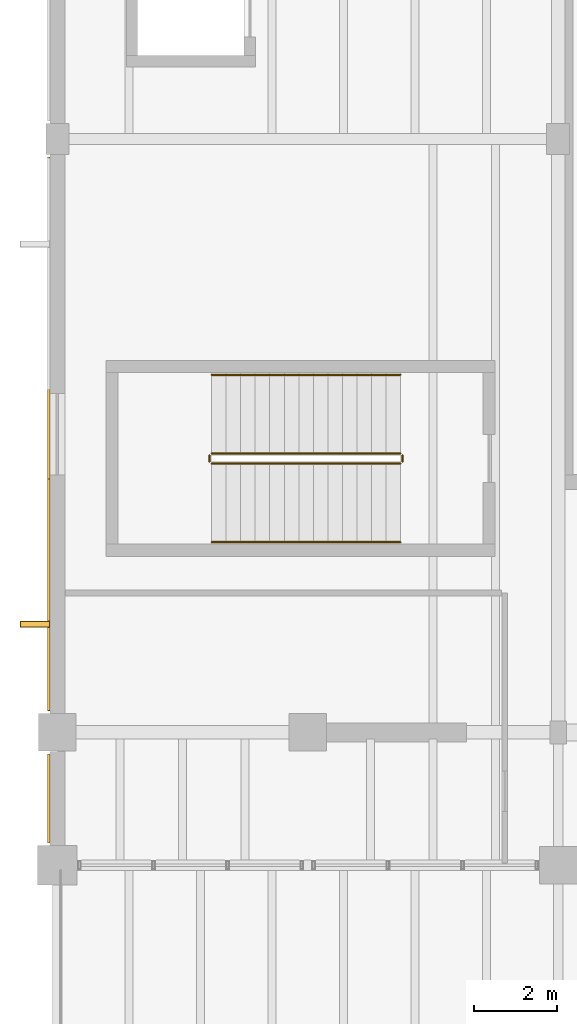
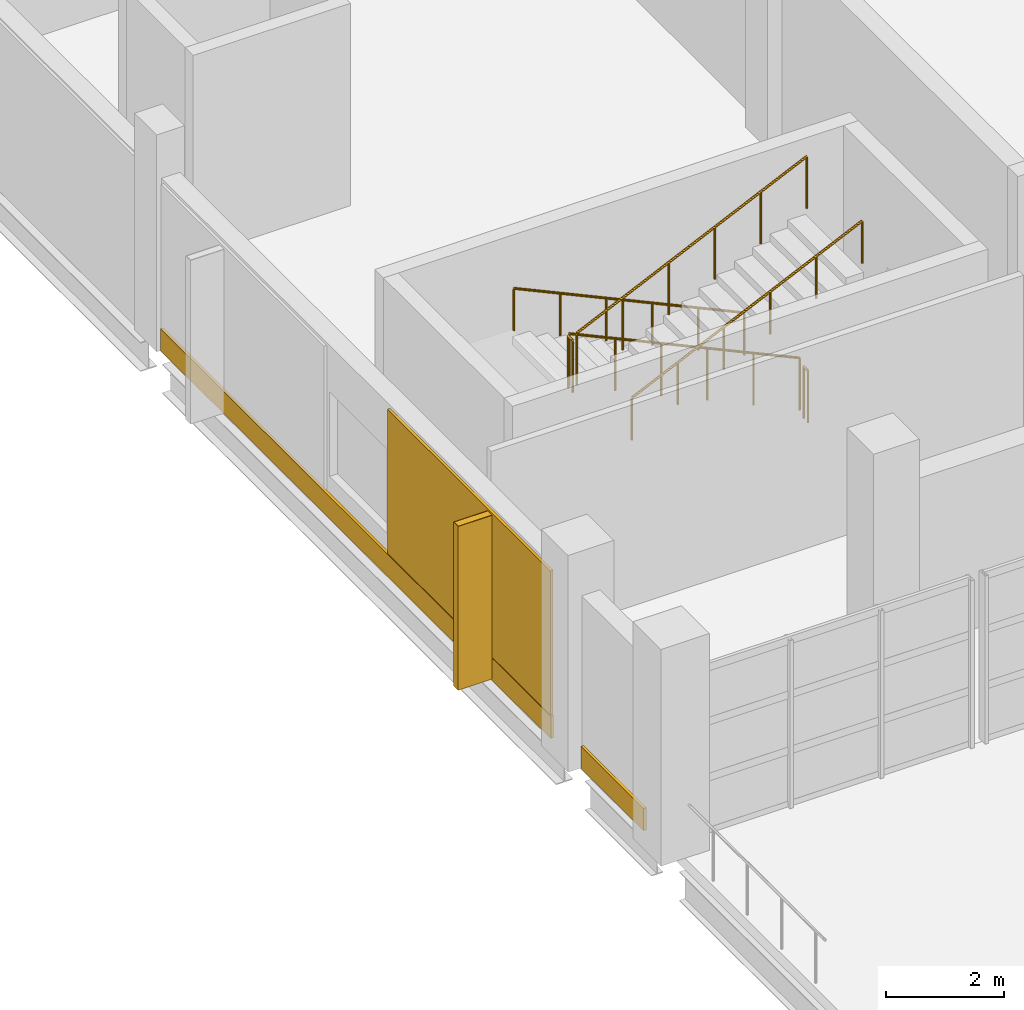
# One storey, part 104 of 114: 6 railings, 4 coverings, 1 shading device.
"""IFC4 building model written with IfcOpenShell, lengths in metres."""

from ifc_helpers import new_model, si_unit, direction, frame, origin, origin_2d, place, context, subcontext, project, spatial, rectangle, circle, extrude, material, layer, layer_set, type_object, element, save


model = new_model("IFC4")

# Units and contexts
model_context = context("Model", 3, precision=1e-05, world=origin(), true_north=direction((0.0, 1.0)))
body_context = subcontext(model_context, "Body", "Model", "MODEL_VIEW")
ifc_project = project(units=[si_unit("LENGTHUNIT", "METRE"), si_unit("AREAUNIT", "SQUARE_METRE"), si_unit("VOLUMEUNIT", "CUBIC_METRE"), si_unit("PLANEANGLEUNIT", "RADIAN"), si_unit("MASSUNIT", "GRAM", prefix="KILO")], contexts=[model_context])

# Site, building, storey
site_placement = place(None, origin())
site = spatial("IfcSite", under=ifc_project, at=site_placement, CompositionType="ELEMENT")
building_placement = place(site_placement, origin())
building = spatial("IfcBuilding", under=site, at=building_placement, Name="Kelmvaro Bay Concert Hall", CompositionType="ELEMENT")
storey_placement = place(building_placement, frame((0.0, 0.0, 4.800048828125)))
storey = spatial("IfcBuildingStorey", under=building, at=storey_placement, Name="L01", CompositionType="ELEMENT", Elevation=4.800048828125)

# Shading device
ifc_material_1 = material(Name="Anodised Extruded Aluminium 6063-T6", Category="aluminium")
ifc_layer_1 = layer(ifc_material_1, 3.39990234375)
ifc_layer_set_1 = layer_set([ifc_layer_1], Name="Anodised Extruded Aluminium 6063-T6")
shading_device_type = type_object("IfcShadingDeviceType", Name="Bauhaus Vertical Solar Brise-Soleil Fin 720x3400", PredefinedType="SHUTTER", material=ifc_layer_set_1)
shading_device_placement = place(storey_placement, frame((-0.535888671875, 71.173095703125, 0.06005859375), z_axis=(0.0, 0.0, 1.0), x_axis=(0.0, 1.0, 0.0)))
element("IfcShadingDevice", 1, at=shading_device_placement, inside=storey, type_object=shading_device_type, Name="L01 Solar Brise-Soleil Fin 007", PredefinedType="SHUTTER", context=body_context, shape_type="SweptSolid", body=[
    extrude(rectangle(XDim=0.159912109375, YDim=0.719970703125, at=origin_2d()), origin(), (0.0, 0.0, 1.0), 3.39990234375),
])

# Coverings
ifc_material_2 = material(Name="PVDF-Coated Architectural Aluminium", Category="aluminium")
ifc_layer_2 = layer(ifc_material_2, 0.0400390625)
ifc_layer_set_2 = layer_set([ifc_layer_2], Name="PVDF-Coated Architectural Aluminium")
covering_type_1 = type_object("IfcCoveringType", Name="De Stijl Enamelled Aluminium Fascia Panel 40", PredefinedType="CLADDING", material=ifc_layer_set_2)
covering_1_placement = place(storey_placement, frame((-0.535888671875, 71.173095703125, 0.06005859375), z_axis=(0.0, 0.0, 1.0), x_axis=(0.0, 1.0, 0.0)))
element("IfcCovering", 2, at=covering_1_placement, inside=storey, type_object=covering_type_1, Name="L01 Architectural Vertical Fin Cladding 0042", PredefinedType="CLADDING", context=body_context, shape_type="SweptSolid", body=[
    extrude(rectangle(XDim=0.139892578125, YDim=0.699951171875, at=origin_2d()), origin(), (0.0, 0.0, 1.0), 3.39990234375),
])
ifc_material_3 = material(Name="Honed Florida Limestone Travertine", Category="masonry")
ifc_layer_3 = layer(ifc_material_3, 0.054931640625)
ifc_layer_set_3 = layer_set([ifc_layer_3], Name="Honed Florida Limestone Travertine")
covering_type_2 = type_object("IfcCoveringType", Name="Honed Florida Travertine Rainscreen Cladding 55", PredefinedType="CLADDING", material=ifc_layer_set_3)
covering_2_placement = place(storey_placement, frame((-0.20556640625, 67.00244140625, 0.0400390625), z_axis=(0.0, 0.0, 1.0), x_axis=(0.0, 1.0, 0.0)))
element("IfcCovering", 3, at=covering_2_placement, inside=storey, type_object=covering_type_2, Name="L01 Travertine Sill Band 0040", PredefinedType="CLADDING", context=body_context, shape_type="SweptSolid", body=[
    extrude(rectangle(XDim=2.135009765625, YDim=0.054931640625, at=origin_2d()), origin(), (0.0, 0.0, 1.0), 0.4599609375),
])
covering_3_placement = place(storey_placement, frame((-0.20556640625, 75.7275390625, 0.0400390625), z_axis=(0.0, 0.0, 1.0), x_axis=(0.0, 1.0, 0.0)))
element("IfcCovering", 4, at=covering_3_placement, inside=storey, type_object=covering_type_2, Name="L01 Travertine Sill Band 0041", PredefinedType="CLADDING", context=body_context, shape_type="SweptSolid", body=[
    extrude(rectangle(XDim=13.27490234375, YDim=0.054931640625, at=origin_2d()), origin(), (0.0, 0.0, 1.0), 0.4599609375),
])
covering_4_placement = place(storey_placement, frame((-0.20556640625, 71.881103515625, 0.52001953125), z_axis=(0.0, 0.0, 1.0), x_axis=(0.0, 1.0, 0.0)))
element("IfcCovering", 5, at=covering_4_placement, inside=storey, type_object=covering_type_2, Name="L01 Travertine Pier Panel 0044", PredefinedType="CLADDING", context=body_context, shape_type="SweptSolid", body=[
    extrude(rectangle(XDim=5.54296875, YDim=0.054931640625, at=origin_2d()), origin(), (0.0, 0.0, 1.0), 2.989013671875),
])

# Railings
ifc_material_4 = material(Name="Brushed Stainless Steel 316", Category="steel")
railing_type_1 = type_object("IfcRailingType", Name="Stair Stainless Wall Handrail 900", PredefinedType="HANDRAIL", material=ifc_material_4)
railing_1_placement = place(storey_placement, frame((8.219970703125, 77.14990234375, 0.16064453125)))
element("IfcRailing", 6, at=railing_1_placement, inside=storey, type_object=railing_type_1, Name="L01 ST-01 stair handrail 1", PredefinedType="HANDRAIL", context=body_context, shape_type="SweptSolid", body=[
    extrude(circle(Radius=0.02392578125, at=origin_2d()), frame((0.0, 0.0, 0.8759765625), z_axis=(-0.907853242209, 0.0, 0.419288075922), x_axis=(0.0, -1.0, 0.0)), (0.0, 0.0, 1.0), 4.983154296875),
    extrude(circle(Radius=0.02099609375, at=origin_2d()), origin(), (0.0, 0.0, 1.0), 0.851806640625),
    extrude(circle(Radius=0.02099609375, at=origin_2d()), frame((-0.90478515625, 0.0, 0.41796875)), (0.0, 0.0, 1.0), 0.851806640625),
    extrude(circle(Radius=0.02099609375, at=origin_2d()), frame((-1.8095703125, 0.0, 0.835693359375)), (0.0, 0.0, 1.0), 0.851806640625),
    extrude(circle(Radius=0.02099609375, at=origin_2d()), frame((-2.71435546875, 0.0, 1.253662109375)), (0.0, 0.0, 1.0), 0.851806640625),
    extrude(circle(Radius=0.02099609375, at=origin_2d()), frame((-3.619140625, 0.0, 1.67138671875)), (0.0, 0.0, 1.0), 0.851806640625),
    extrude(circle(Radius=0.02099609375, at=origin_2d()), frame((-4.52392578125, 0.0, 2.08935546875)), (0.0, 0.0, 1.0), 0.851806640625),
])
railing_2_placement = place(storey_placement, frame((3.696044921875, 73.139892578125, 2.41064453125)))
element("IfcRailing", 7, at=railing_2_placement, inside=storey, type_object=railing_type_1, Name="L01 ST-01 stair handrail 2", PredefinedType="HANDRAIL", context=body_context, shape_type="SweptSolid", body=[
    extrude(circle(Radius=0.02392578125, at=origin_2d()), frame((0.0, 0.0, 0.8759765625), z_axis=(0.907853242209, 0.0, 0.419288075922), x_axis=(0.0, 1.0, 0.0)), (0.0, 0.0, 1.0), 4.983154296875),
    extrude(circle(Radius=0.02099609375, at=origin_2d()), origin(), (0.0, 0.0, 1.0), 0.851806640625),
    extrude(circle(Radius=0.02099609375, at=origin_2d()), frame((0.90478515625, 0.0, 0.41796875)), (0.0, 0.0, 1.0), 0.851806640625),
    extrude(circle(Radius=0.02099609375, at=origin_2d()), frame((1.8095703125, 0.0, 0.835693359375)), (0.0, 0.0, 1.0), 0.851806640625),
    extrude(circle(Radius=0.02099609375, at=origin_2d()), frame((2.71435546875, 0.0, 1.253662109375)), (0.0, 0.0, 1.0), 0.851806640625),
    extrude(circle(Radius=0.02099609375, at=origin_2d()), frame((3.619140625, 0.0, 1.67138671875)), (0.0, 0.0, 1.0), 0.851806640625),
    extrude(circle(Radius=0.02099609375, at=origin_2d()), frame((4.52392578125, 0.0, 2.08935546875)), (0.0, 0.0, 1.0), 0.851806640625),
])
ifc_material_5 = material(Name="Powder-Coated Steel ASTM A500", Category="steel")
railing_type_2 = type_object("IfcRailingType", Name="Stair Well Painted Steel Guard 1100", PredefinedType="BALUSTRADE", material=ifc_material_5)
railing_3_placement = place(storey_placement, frame((8.219970703125, 75.27001953125, 0.16064453125)))
element("IfcRailing", 8, at=railing_3_placement, inside=storey, type_object=railing_type_2, Name="L01 ST-01 stair guard 1", PredefinedType="BALUSTRADE", context=body_context, shape_type="SweptSolid", body=[
    extrude(circle(Radius=0.02392578125, at=origin_2d()), frame((0.0, 0.0, 1.076171875), z_axis=(-0.907853242209, 0.0, 0.419288075922), x_axis=(0.0, -1.0, 0.0)), (0.0, 0.0, 1.0), 4.983154296875),
    extrude(circle(Radius=0.02099609375, at=origin_2d()), origin(), (0.0, 0.0, 1.0), 1.052001953125),
    extrude(circle(Radius=0.02099609375, at=origin_2d()), frame((-0.90478515625, 0.0, 0.41796875)), (0.0, 0.0, 1.0), 1.052001953125),
    extrude(circle(Radius=0.02099609375, at=origin_2d()), frame((-1.8095703125, 0.0, 0.835693359375)), (0.0, 0.0, 1.0), 1.052001953125),
    extrude(circle(Radius=0.02099609375, at=origin_2d()), frame((-2.71435546875, 0.0, 1.253662109375)), (0.0, 0.0, 1.0), 1.052001953125),
    extrude(circle(Radius=0.02099609375, at=origin_2d()), frame((-3.619140625, 0.0, 1.67138671875)), (0.0, 0.0, 1.0), 1.052001953125),
    extrude(circle(Radius=0.02099609375, at=origin_2d()), frame((-4.52392578125, 0.0, 2.08935546875)), (0.0, 0.0, 1.0), 1.052001953125),
])
railing_4_placement = place(storey_placement, frame((3.64599609375, 75.219970703125, 2.25)))
element("IfcRailing", 9, at=railing_4_placement, inside=storey, type_object=railing_type_2, Name="L01 ST-01 stair guard 2", PredefinedType="BALUSTRADE", context=body_context, shape_type="SweptSolid", body=[
    extrude(circle(Radius=0.02392578125, at=origin_2d()), frame((0.0, 0.0, 1.076171875), z_axis=(0.0, -1.0, 0.0), x_axis=(1.0, 0.0, 0.0)), (0.0, 0.0, 1.0), 0.14990234375),
    extrude(circle(Radius=0.02099609375, at=origin_2d()), origin(), (0.0, 0.0, 1.0), 1.052001953125),
    extrude(circle(Radius=0.02099609375, at=origin_2d()), frame((0.0, -0.14990234375, 0.0)), (0.0, 0.0, 1.0), 1.052001953125),
])
railing_5_placement = place(storey_placement, frame((3.696044921875, 75.02001953125, 2.41064453125)))
element("IfcRailing", 10, at=railing_5_placement, inside=storey, type_object=railing_type_2, Name="L01 ST-01 stair guard 3", PredefinedType="BALUSTRADE", context=body_context, shape_type="SweptSolid", body=[
    extrude(circle(Radius=0.02392578125, at=origin_2d()), frame((0.0, 0.0, 1.076171875), z_axis=(0.907853242209, 0.0, 0.419288075922), x_axis=(0.0, 1.0, 0.0)), (0.0, 0.0, 1.0), 4.983154296875),
    extrude(circle(Radius=0.02099609375, at=origin_2d()), origin(), (0.0, 0.0, 1.0), 1.052001953125),
    extrude(circle(Radius=0.02099609375, at=origin_2d()), frame((0.90478515625, 0.0, 0.41796875)), (0.0, 0.0, 1.0), 1.052001953125),
    extrude(circle(Radius=0.02099609375, at=origin_2d()), frame((1.8095703125, 0.0, 0.835693359375)), (0.0, 0.0, 1.0), 1.052001953125),
    extrude(circle(Radius=0.02099609375, at=origin_2d()), frame((2.71435546875, 0.0, 1.253662109375)), (0.0, 0.0, 1.0), 1.052001953125),
    extrude(circle(Radius=0.02099609375, at=origin_2d()), frame((3.619140625, 0.0, 1.67138671875)), (0.0, 0.0, 1.0), 1.052001953125),
    extrude(circle(Radius=0.02099609375, at=origin_2d()), frame((4.52392578125, 0.0, 2.08935546875)), (0.0, 0.0, 1.0), 1.052001953125),
])
railing_6_placement = place(storey_placement, frame((8.27001953125, 75.219970703125, 0.0)))
element("IfcRailing", 11, at=railing_6_placement, inside=storey, type_object=railing_type_2, Name="L01 ST-01 stair guard 4", PredefinedType="BALUSTRADE", context=body_context, shape_type="SweptSolid", body=[
    extrude(circle(Radius=0.02392578125, at=origin_2d()), frame((0.0, 0.0, 1.076171875), z_axis=(0.0, -1.0, 0.0), x_axis=(1.0, 0.0, 0.0)), (0.0, 0.0, 1.0), 0.14990234375),
    extrude(circle(Radius=0.02099609375, at=origin_2d()), origin(), (0.0, 0.0, 1.0), 1.052001953125),
    extrude(circle(Radius=0.02099609375, at=origin_2d()), frame((0.0, -0.14990234375, 0.0)), (0.0, 0.0, 1.0), 1.052001953125),
])

save(model, "model.ifc")
